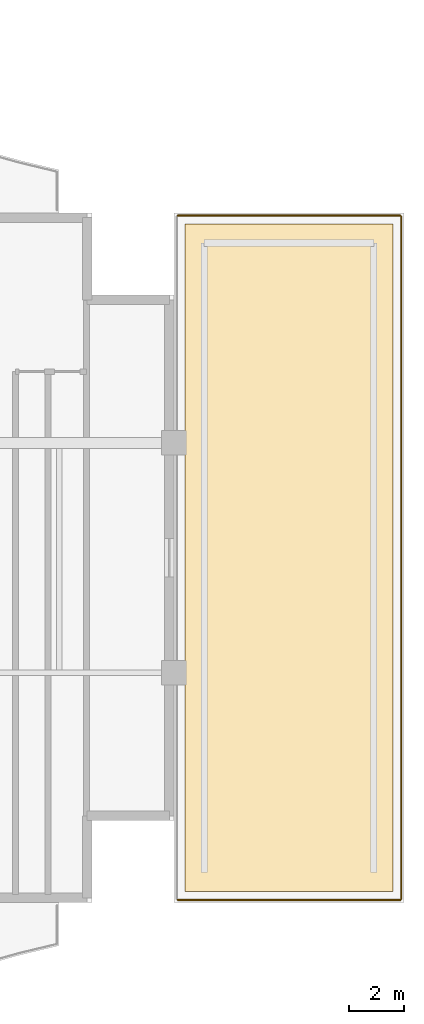
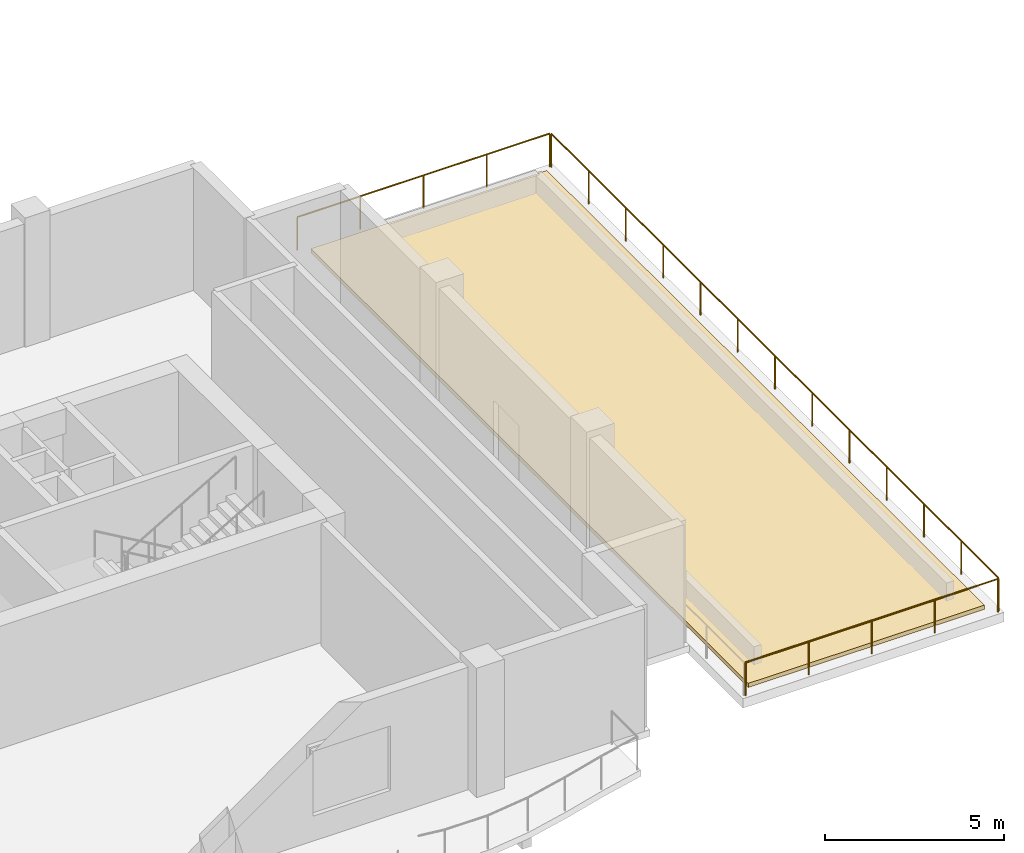
# One storey, part 16 of 16: 3 railings, 1 covering.
"""IFC4 building model written with IfcOpenShell, lengths in metres."""

from ifc_helpers import new_model, si_unit, direction, frame, origin, origin_2d, place, context, subcontext, project, spatial, polyline, circle, outline, extrude, material, layer, layer_set, type_object, element, save


model = new_model("IFC4")

# Units and contexts
model_context = context("Model", 3, precision=1e-05, world=origin(), true_north=direction((0.0, 1.0)))
body_context = subcontext(model_context, "Body", "Model", "MODEL_VIEW")
ifc_project = project(units=[si_unit("LENGTHUNIT", "METRE"), si_unit("AREAUNIT", "SQUARE_METRE"), si_unit("VOLUMEUNIT", "CUBIC_METRE"), si_unit("PLANEANGLEUNIT", "RADIAN"), si_unit("MASSUNIT", "GRAM", prefix="KILO")], contexts=[model_context])

# Site, building, storey
site_placement = place(None, origin())
site = spatial("IfcSite", under=ifc_project, at=site_placement, CompositionType="ELEMENT")
building_placement = place(site_placement, origin())
building = spatial("IfcBuilding", under=site, at=building_placement, Name="Koriwani Terraces Tower", CompositionType="ELEMENT")
storey_placement = place(building_placement, frame((0.0, 0.0, 286.0)))
storey = spatial("IfcBuildingStorey", under=building, at=storey_placement, Name="L71", CompositionType="ELEMENT", Elevation=286.0)

# Railings
ifc_material_1 = material(Name="Steel ASTM A572 Grade 50", Category="steel")
railing_type = type_object("IfcRailingType", Name="GUARD_BALUSTRADE_1150", PredefinedType="BALUSTRADE", material=ifc_material_1)
railing_1_placement = place(storey_placement, frame((67.3349609375, 33.5, 0.0)))
element("IfcRailing", 1, at=railing_1_placement, inside=storey, type_object=railing_type, Name="L71 Setback Sky-Garden Terrace Balustrade Segment 2", PredefinedType="BALUSTRADE", context=body_context, shape_type="SweptSolid", body=[
    extrude(circle(Radius=0.02490234375, at=origin_2d()), frame((0.0, 0.0, 1.125), z_axis=(1.0, 0.0, 0.0), x_axis=(0.0, 1.0, 0.0)), (0.0, 0.0, 1.0), 8.130126953125),
    extrude(circle(Radius=0.0224609375, at=origin_2d()), origin(), (0.0, 0.0, 1.0), 1.099853515625),
    extrude(circle(Radius=0.0224609375, at=origin_2d()), frame((2.032470703125, 0.0, 0.0)), (0.0, 0.0, 1.0), 1.099853515625),
    extrude(circle(Radius=0.0224609375, at=origin_2d()), frame((4.06494140625, 0.0, 0.0)), (0.0, 0.0, 1.0), 1.099853515625),
    extrude(circle(Radius=0.0224609375, at=origin_2d()), frame((6.09765625, 0.0, 0.0)), (0.0, 0.0, 1.0), 1.099853515625),
    extrude(circle(Radius=0.0224609375, at=origin_2d()), frame((8.130126953125, 0.0, 0.0)), (0.0, 0.0, 1.0), 1.099853515625),
])
railing_2_placement = place(storey_placement, frame((75.5, 33.465087890625, 0.0)))
element("IfcRailing", 2, at=railing_2_placement, inside=storey, type_object=railing_type, Name="L71 Setback Sky-Garden Terrace Balustrade Segment 3", PredefinedType="BALUSTRADE", context=body_context, shape_type="SweptSolid", body=[
    extrude(circle(Radius=0.02490234375, at=origin_2d()), frame((0.0, 0.0, 1.125), z_axis=(0.0, -1.0, 0.0), x_axis=(1.0, 0.0, 0.0)), (0.0, 0.0, 1.0), 24.93017578125),
    extrude(circle(Radius=0.0224609375, at=origin_2d()), origin(), (0.0, 0.0, 1.0), 1.099853515625),
    extrude(circle(Radius=0.0224609375, at=origin_2d()), frame((0.0, -2.07763671875, 0.0)), (0.0, 0.0, 1.0), 1.099853515625),
    extrude(circle(Radius=0.0224609375, at=origin_2d()), frame((0.0, -4.155029296875, 0.0)), (0.0, 0.0, 1.0), 1.099853515625),
    extrude(circle(Radius=0.0224609375, at=origin_2d()), frame((0.0, -6.232421875, 0.0)), (0.0, 0.0, 1.0), 1.099853515625),
    extrude(circle(Radius=0.0224609375, at=origin_2d()), frame((0.0, -8.31005859375, 0.0)), (0.0, 0.0, 1.0), 1.099853515625),
    extrude(circle(Radius=0.0224609375, at=origin_2d()), frame((0.0, -10.3876953125, 0.0)), (0.0, 0.0, 1.0), 1.099853515625),
    extrude(circle(Radius=0.0224609375, at=origin_2d()), frame((0.0, -12.465087890625, 0.0)), (0.0, 0.0, 1.0), 1.099853515625),
    extrude(circle(Radius=0.0224609375, at=origin_2d()), frame((0.0, -14.542724609375, 0.0)), (0.0, 0.0, 1.0), 1.099853515625),
    extrude(circle(Radius=0.0224609375, at=origin_2d()), frame((0.0, -16.6201171875, 0.0)), (0.0, 0.0, 1.0), 1.099853515625),
    extrude(circle(Radius=0.0224609375, at=origin_2d()), frame((0.0, -18.69775390625, 0.0)), (0.0, 0.0, 1.0), 1.099853515625),
    extrude(circle(Radius=0.0224609375, at=origin_2d()), frame((0.0, -20.775146484375, 0.0)), (0.0, 0.0, 1.0), 1.099853515625),
    extrude(circle(Radius=0.0224609375, at=origin_2d()), frame((0.0, -22.8525390625, 0.0)), (0.0, 0.0, 1.0), 1.099853515625),
    extrude(circle(Radius=0.0224609375, at=origin_2d()), frame((0.0, -24.93017578125, 0.0)), (0.0, 0.0, 1.0), 1.099853515625),
])
railing_3_placement = place(storey_placement, frame((75.465087890625, 8.5, 0.0)))
element("IfcRailing", 3, at=railing_3_placement, inside=storey, type_object=railing_type, Name="L71 Setback Sky-Garden Terrace Balustrade Segment 4", PredefinedType="BALUSTRADE", context=body_context, shape_type="SweptSolid", body=[
    extrude(circle(Radius=0.02490234375, at=origin_2d()), frame((0.0, 0.0, 1.125), z_axis=(-1.0, 0.0, 0.0), x_axis=(0.0, -1.0, 0.0)), (0.0, 0.0, 1.0), 8.130126953125),
    extrude(circle(Radius=0.0224609375, at=origin_2d()), origin(), (0.0, 0.0, 1.0), 1.099853515625),
    extrude(circle(Radius=0.0224609375, at=origin_2d()), frame((-2.032470703125, 0.0, 0.0)), (0.0, 0.0, 1.0), 1.099853515625),
    extrude(circle(Radius=0.0224609375, at=origin_2d()), frame((-4.06494140625, 0.0, 0.0)), (0.0, 0.0, 1.0), 1.099853515625),
    extrude(circle(Radius=0.0224609375, at=origin_2d()), frame((-6.09765625, 0.0, 0.0)), (0.0, 0.0, 1.0), 1.099853515625),
    extrude(circle(Radius=0.0224609375, at=origin_2d()), frame((-8.130126953125, 0.0, 0.0)), (0.0, 0.0, 1.0), 1.099853515625),
])

# Covering
ifc_material_2 = material(Name="Insulated Modified Bitumen Roofing", Category="masonry")
ifc_layer = layer(ifc_material_2, 0.139892578125, Name="Insulated Modified Bitumen Roofing")
ifc_layer_set = layer_set([ifc_layer], Name="Insulated Modified Bitumen Roofing")
covering_type = type_object("IfcCoveringType", Name="ROOFING_MEMBRANE_INSUL", PredefinedType="ROOFING", material=ifc_layer_set)
covering_placement = place(storey_placement, origin())
element("IfcCovering", 4, at=covering_placement, inside=storey, type_object=covering_type, Name="L71 Sky-Garden Terrace Waterproofing & Planted Media", PredefinedType="ROOFING", context=body_context, shape_type="SweptSolid", body=[
    extrude(outline(polyline([(67.60009765625, 8.800048828125), (67.60009765625, 33.199951171875), (75.199951171875, 33.199951171875), (75.199951171875, 8.800048828125), (67.60009765625, 8.800048828125)])), origin(), (0.0, 0.0, 1.0), 0.139892578125),
])

save(model, "model.ifc")
